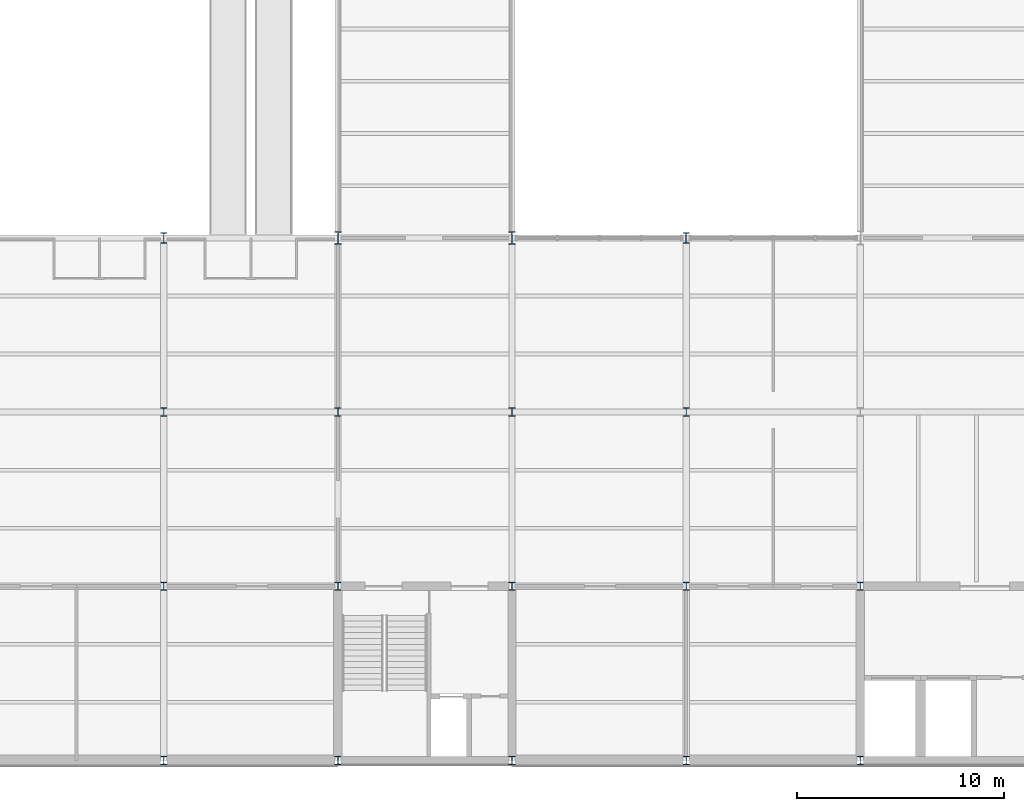
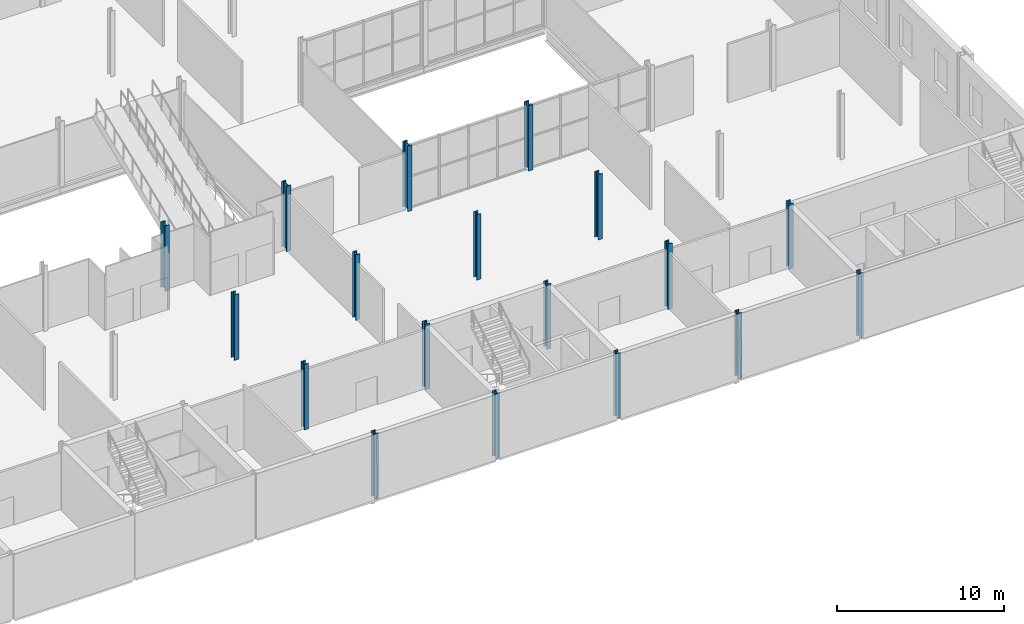
# One storey, part 5 of 57: 18 columns.
"""IFC4 building model written with IfcOpenShell, lengths in metres."""

import ifcopenshell
import ifcopenshell.guid

model = None  # the IFC model being written
_history = None  # IfcOwnerHistory: only IFC2X3 demands one
_inside = {}  # id of a spatial element -> (the spatial element, [elements in it])
_under = {}  # id of a project, library or spatial element -> (it, [spatial elements below it])
_declared = {}  # id of a project -> (the project, [libraries it declares])
_typed = {}  # id of a type object -> (the type object, [elements of that type])
_made_of = {}  # id of a material, layer set ... -> (it, [elements and type objects made of it])


def new_model(schema):
    """Start an empty IFC model of exactly this schema.

    Asked for "IFC4X3", IfcOpenShell would pick the latest addendum, in which some entities
    have other attributes; the version numbers below select the first issue.
    IFC2X3 requires an IfcOwnerHistory on every rooted entity: one is made here for all.
    """
    global model, _history
    if schema == "IFC4X3":
        model = ifcopenshell.file(schema_version=(4, 3, 0, 0))
    else:
        model = ifcopenshell.file(schema=schema)
    _inside.clear()
    _under.clear()
    _declared.clear()
    _typed.clear()
    _made_of.clear()
    _history = None
    if model.schema == "IFC2X3":
        org = make("IfcOrganization", Name="unknown")
        user = make(
            "IfcPersonAndOrganization",
            ThePerson=make("IfcPerson", FamilyName="unknown"),
            TheOrganization=org,
        )
        app = make(
            "IfcApplication",
            ApplicationDeveloper=org,
            Version="unknown",
            ApplicationFullName="unknown",
            ApplicationIdentifier="unknown",
        )
        _history = make(
            "IfcOwnerHistory",
            OwningUser=user,
            OwningApplication=app,
            ChangeAction="ADDED",
            CreationDate=0,
        )
    return model


def make(cls, **values):
    """One entity of the class cls with the attributes given. An attribute that is None is left unset."""
    return model.create_entity(
        cls, **{name: value for name, value in values.items() if value is not None}
    )


def rooted(cls, **values):
    """An entity with a GlobalId (a new one), such as an element, a storey or a relation."""
    return make(cls, GlobalId=ifcopenshell.guid.new(), OwnerHistory=_history, **values)


def si_unit(unit_type, name, prefix=None):
    """IfcSIUnit, for example si_unit("LENGTHUNIT", "METRE", prefix="MILLI")."""
    return make("IfcSIUnit", UnitType=unit_type, Prefix=prefix, Name=name)


def assignment(units):
    """IfcUnitAssignment: the units of a project."""
    return None if units is None else make("IfcUnitAssignment", Units=units)


def point(xyz):
    """IfcCartesianPoint."""
    return None if xyz is None else make("IfcCartesianPoint", Coordinates=xyz)


def direction(xyz):
    """IfcDirection."""
    return None if xyz is None else make("IfcDirection", DirectionRatios=xyz)


def frame(location, z_axis=None, x_axis=None):
    """IfcAxis2Placement3D, a coordinate frame: its origin and axes. An axis left out is left unset."""
    return make(
        "IfcAxis2Placement3D",
        Location=point(location),
        Axis=direction(z_axis),
        RefDirection=direction(x_axis),
    )


def frame_2d(location, x_axis=None):
    """IfcAxis2Placement2D, a coordinate frame in the plane: its origin and x axis."""
    return make(
        "IfcAxis2Placement2D", Location=point(location), RefDirection=direction(x_axis)
    )


def origin():
    """The frame at (0, 0, 0) with its axes left unset."""
    return frame((0.0, 0.0, 0.0))


def origin_2d():
    """The frame at (0, 0) in the plane with its x axis left unset."""
    return frame_2d((0.0, 0.0))


def place(relative_to, where):
    """IfcLocalPlacement: puts the frame where relative to a parent placement (None: the world)."""
    return make(
        "IfcLocalPlacement", PlacementRelTo=relative_to, RelativePlacement=where
    )


def context(
    kind, dimensions, precision=None, world=None, true_north=None, identifier=None
):
    """IfcGeometricRepresentationContext, for example the 3D "Model" context."""
    return make(
        "IfcGeometricRepresentationContext",
        ContextIdentifier=identifier,
        ContextType=kind,
        CoordinateSpaceDimension=dimensions,
        Precision=precision,
        WorldCoordinateSystem=world,
        TrueNorth=true_north,
    )


def subcontext(parent, identifier, kind, view, scale=None):
    """IfcGeometricRepresentationSubContext, for example "Body" below "Model"."""
    return make(
        "IfcGeometricRepresentationSubContext",
        ContextIdentifier=identifier,
        ContextType=kind,
        ParentContext=parent,
        TargetScale=scale,
        TargetView=view,
    )


def project(units=None, contexts=None):
    """IfcProject with its units and contexts."""
    return rooted(
        "IfcProject",
        Name="project",
        RepresentationContexts=contexts,
        UnitsInContext=assignment(units),
    )


def spatial(cls, under=None, at=None, **own):
    """A site, building, storey or space (cls), placed at a placement, below another one or the project."""
    s = rooted(cls, ObjectPlacement=at, **own)
    if under is not None:
        _under.setdefault(under.id(), (under, []))[1].append(s)
    return s


def profile(cls, at=None, kind="AREA", **sizes):
    """A parametric profile (cls). Its sizes go by their IFC names, for example OverallWidth=200.0."""
    return make(cls, ProfileType=kind, Position=at, **sizes)


def i_section(**sizes):
    """IfcIShapeProfileDef."""
    return profile("IfcIShapeProfileDef", **sizes)


def extrude(swept, where, along, depth):
    """IfcExtrudedAreaSolid: the profile swept, set in the frame where, extruded along a direction by depth."""
    return make(
        "IfcExtrudedAreaSolid",
        SweptArea=swept,
        Position=where,
        ExtrudedDirection=direction(along),
        Depth=depth,
    )


def shape(context_of_items, identifier, shape_type, items):
    """IfcShapeRepresentation: the items that make up one representation, for example the "Body"."""
    return make(
        "IfcShapeRepresentation",
        ContextOfItems=context_of_items,
        RepresentationIdentifier=identifier,
        RepresentationType=shape_type,
        Items=items,
    )


def material(Name=None, Category=None):
    """IfcMaterial."""
    return make("IfcMaterial", Name=Name, Category=Category)


def material_profile(
    of_material, cross_section, Name=None, Category=None, Priority=None
):
    """IfcMaterialProfile: a cross section and its material."""
    return make(
        "IfcMaterialProfile",
        Name=Name,
        Material=of_material,
        Profile=cross_section,
        Priority=Priority,
        Category=Category,
    )


def profile_set(profiles, Name=None, composite=None):
    """IfcMaterialProfileSet."""
    return make(
        "IfcMaterialProfileSet",
        Name=Name,
        MaterialProfiles=profiles,
        CompositeProfile=composite,
    )


def made_of(thing, what):
    """Note that an element or type object is made of a material, layer set ...; save() writes the relation."""
    if what is not None:
        _made_of.setdefault(what.id(), (what, []))[1].append(thing)
    return thing


def type_object(cls, material=None, **own):
    """A type object (cls), such as IfcWallType, which elements share."""
    return made_of(rooted(cls, **own), material)


def element(
    cls,
    number,
    at=None,
    inside=None,
    cuts=None,
    type_object=None,
    material=None,
    context=None,
    identifier="Body",
    shape_type=None,
    held_by="IfcProductDefinitionShape",
    body=None,
    shapes=None,
    **own,
):
    """One element of the class cls, such as IfcWall. Its Tag is "e" and its number.

    at: its placement. inside: the storey or other place that contains it. cuts: it is an
    opening in that element (IfcRelVoidsElement). A single representation is given by context,
    identifier, shape_type and body (its items); several are given by shapes. held_by: the class
    of the entity that holds the representations. save() writes the other relations.
    """
    e = rooted(cls, Tag="e%d" % number, ObjectPlacement=at, **own)
    if body is not None:
        shapes = [shape(context, identifier, shape_type, body)]
    if shapes is not None:
        e.Representation = make(held_by, Representations=shapes)
    if inside is not None:
        _inside.setdefault(inside.id(), (inside, []))[1].append(e)
    if cuts is not None:
        rooted(
            "IfcRelVoidsElement", RelatingBuildingElement=cuts, RelatedOpeningElement=e
        )
    if type_object is not None:
        _typed.setdefault(type_object.id(), (type_object, []))[1].append(e)
    return made_of(e, material)


def aggregate(whole, parts):
    """IfcRelAggregates: a whole, such as a stair, and the parts it consists of."""
    return rooted("IfcRelAggregates", RelatingObject=whole, RelatedObjects=parts)


def save(model, path):
    """Write the relations noted so far, then the file.

    IfcRelAggregates (storeys below a building ...), IfcRelContainedInSpatialStructure (elements
    in a storey), IfcRelDefinesByType, IfcRelAssociatesMaterial and IfcRelDeclares: one each for
    every whole, place, type object, material and project.
    """
    for whole, parts in _under.values():
        aggregate(whole, parts)
    for where, things in _inside.values():
        rooted(
            "IfcRelContainedInSpatialStructure",
            RelatedElements=things,
            RelatingStructure=where,
        )
    for kind, things in _typed.values():
        rooted("IfcRelDefinesByType", RelatedObjects=things, RelatingType=kind)
    for what, things in _made_of.values():
        rooted("IfcRelAssociatesMaterial", RelatedObjects=things, RelatingMaterial=what)
    for by, libraries in _declared.values():
        rooted("IfcRelDeclares", RelatingContext=by, RelatedDefinitions=libraries)
    model.write(path)


model = new_model("IFC4")

# Units and contexts
model_context = context("Model", 3, precision=1e-05, world=origin(), true_north=direction((0.0, 1.0)))
body_context = subcontext(model_context, "Body", "Model", "MODEL_VIEW")
ifc_project = project(units=[si_unit("LENGTHUNIT", "METRE"), si_unit("AREAUNIT", "SQUARE_METRE"), si_unit("VOLUMEUNIT", "CUBIC_METRE"), si_unit("PLANEANGLEUNIT", "RADIAN"), si_unit("MASSUNIT", "GRAM", prefix="KILO")], contexts=[model_context])

# Site, building, storey
site_placement = place(None, origin())
site = spatial("IfcSite", under=ifc_project, at=site_placement, CompositionType="ELEMENT")
building_placement = place(site_placement, origin())
building = spatial("IfcBuilding", under=site, at=building_placement, Name="Galleria Vessillo Department Store", CompositionType="ELEMENT")
storey_placement = place(building_placement, frame((0.0, 0.0, 21.0)))
storey = spatial("IfcBuildingStorey", under=building, at=storey_placement, Name="L04", CompositionType="ELEMENT", Elevation=21.0)

# Columns
ifc_material_1 = material(Name="Steel S355 J2", Category="steel")
ifc_material_profile_1 = material_profile(ifc_material_1, i_section(OverallWidth=0.300048828125, OverallDepth=0.39990234375, WebThickness=0.013427734375, FlangeThickness=0.02392578125, FilletRadius=0.027099609375, at=origin_2d()), Name="HEB 400")
ifc_profile_set_1 = profile_set([ifc_material_profile_1], Name="Steel S355 J2")
column_type_1 = type_object("IfcColumnType", Name="Steel column HEB 400 CP2", PredefinedType="COLUMN", material=ifc_profile_set_1)
for number, where, z_axis, x_axis, name in (
    (1, (67.199951171875, 0.0, 0.0), (0.0, 0.0, 1.0), (1.0, 0.0, 0.0), "S-COL-L04-9-A"),
    (2, (67.199951171875, 8.39990234375, 0.0), (0.0, 0.0, 1.0), (1.0, 0.0, 0.0), "S-COL-L04-9-B"),
    (3, (67.199951171875, 16.800048828125, 0.0), (0.0, 0.0, 1.0), (1.0, 0.0, 0.0), "S-COL-L04-9-C"),
    (4, (75.60009765625, 0.0, 0.0), (0.0, 0.0, 1.0), (1.0, 0.0, 0.0), "S-COL-L04-10-A"),
    (5, (75.60009765625, 8.39990234375, 0.0), (0.0, 0.0, 1.0), (1.0, 0.0, 0.0), "S-COL-L04-10-B"),
    (6, (75.60009765625, 16.800048828125, 0.0), (0.0, 0.0, 1.0), (1.0, 0.0, 0.0), "S-COL-L04-10-C"),
    (7, (84.0, 0.0, 0.0), (0.0, 0.0, 1.0), (1.0, 0.0, 0.0), "S-COL-L04-11-A"),
    (8, (84.0, 8.39990234375, 0.0), (0.0, 0.0, 1.0), (1.0, 0.0, 0.0), "S-COL-L04-11-B"),
    (9, (84.0, 16.800048828125, 0.0), (0.0, 0.0, 1.0), (1.0, 0.0, 0.0), "S-COL-L04-11-C"),
    (10, (92.39990234375, 0.0, 0.0), (0.0, 0.0, 1.0), (1.0, 0.0, 0.0), "S-COL-L04-12-A"),
    (11, (92.39990234375, 8.39990234375, 0.0), (0.0, 0.0, 1.0), (1.0, 0.0, 0.0), "S-COL-L04-12-B"),
    (12, (92.39990234375, 16.800048828125, 0.0), (0.0, 0.0, 1.0), (1.0, 0.0, 0.0), "S-COL-L04-12-C"),
    (13, (100.800048828125, 0.0, 0.0), (0.0, 0.0, 1.0), (1.0, 0.0, 0.0), "S-COL-L04-13-A"),
    (14, (100.800048828125, 8.39990234375, 0.0), (0.0, 0.0, 1.0), (1.0, 0.0, 0.0), "S-COL-L04-13-B"),
):
    element("IfcColumn", number, at=place(storey_placement, frame(where, z_axis=z_axis, x_axis=x_axis)), inside=storey, type_object=column_type_1, Name=name, PredefinedType="COLUMN", context=body_context, shape_type="SweptSolid", body=[
        extrude(i_section(OverallWidth=0.300048828125, OverallDepth=0.39990234375, WebThickness=0.013427734375, FlangeThickness=0.02392578125, FilletRadius=0.027099609375, at=origin_2d()), origin(), (0.0, 0.0, 1.0), 4.800048828125),
    ])
ifc_material_2 = material(Name="Steel S355 J2", Category="steel")
ifc_material_profile_2 = material_profile(ifc_material_2, i_section(OverallWidth=0.305908203125, OverallDepth=0.52392578125, WebThickness=0.02099609375, FlangeThickness=0.0400390625, FilletRadius=0.027099609375, at=origin_2d()), Name="HEM 500")
ifc_profile_set_2 = profile_set([ifc_material_profile_2], Name="Steel S355 J2")
column_type_2 = type_object("IfcColumnType", Name="Steel column HEM 500 CV1", PredefinedType="COLUMN", material=ifc_profile_set_2)
for number, where, z_axis, x_axis, name in (
    (15, (67.199951171875, 25.199951171875, 0.0), (0.0, 0.0, 1.0), (1.0, 0.0, 0.0), "S-COL-L04-9-D"),
    (16, (92.39990234375, 25.199951171875, 0.0), (0.0, 0.0, 1.0), (1.0, 0.0, 0.0), "S-COL-L04-12-D"),
):
    element("IfcColumn", number, at=place(storey_placement, frame(where, z_axis=z_axis, x_axis=x_axis)), inside=storey, type_object=column_type_2, Name=name, PredefinedType="COLUMN", context=body_context, shape_type="SweptSolid", body=[
        extrude(i_section(OverallWidth=0.305908203125, OverallDepth=0.52392578125, WebThickness=0.02099609375, FlangeThickness=0.0400390625, FilletRadius=0.027099609375, at=origin_2d()), origin(), (0.0, 0.0, 1.0), 4.800048828125),
    ])
ifc_material_3 = material(Name="Steel S355 J2", Category="steel")
ifc_material_profile_3 = material_profile(ifc_material_3, i_section(OverallWidth=0.304931640625, OverallDepth=0.6201171875, WebThickness=0.02099609375, FlangeThickness=0.0400390625, FilletRadius=0.027099609375, at=origin_2d()), Name="HEM 600")
ifc_profile_set_3 = profile_set([ifc_material_profile_3], Name="Steel S355 J2")
column_type_3 = type_object("IfcColumnType", Name="Steel column HEM 600 CV2", PredefinedType="COLUMN", material=ifc_profile_set_3)
for number, where, z_axis, x_axis, name in (
    (17, (75.60009765625, 25.199951171875, 0.0), (0.0, 0.0, 1.0), (1.0, 0.0, 0.0), "S-COL-L04-10-D"),
    (18, (84.0, 25.199951171875, 0.0), (0.0, 0.0, 1.0), (1.0, 0.0, 0.0), "S-COL-L04-11-D"),
):
    element("IfcColumn", number, at=place(storey_placement, frame(where, z_axis=z_axis, x_axis=x_axis)), inside=storey, type_object=column_type_3, Name=name, PredefinedType="COLUMN", context=body_context, shape_type="SweptSolid", body=[
        extrude(i_section(OverallWidth=0.304931640625, OverallDepth=0.6201171875, WebThickness=0.02099609375, FlangeThickness=0.0400390625, FilletRadius=0.027099609375, at=origin_2d()), origin(), (0.0, 0.0, 1.0), 4.800048828125),
    ])

save(model, "model.ifc")
